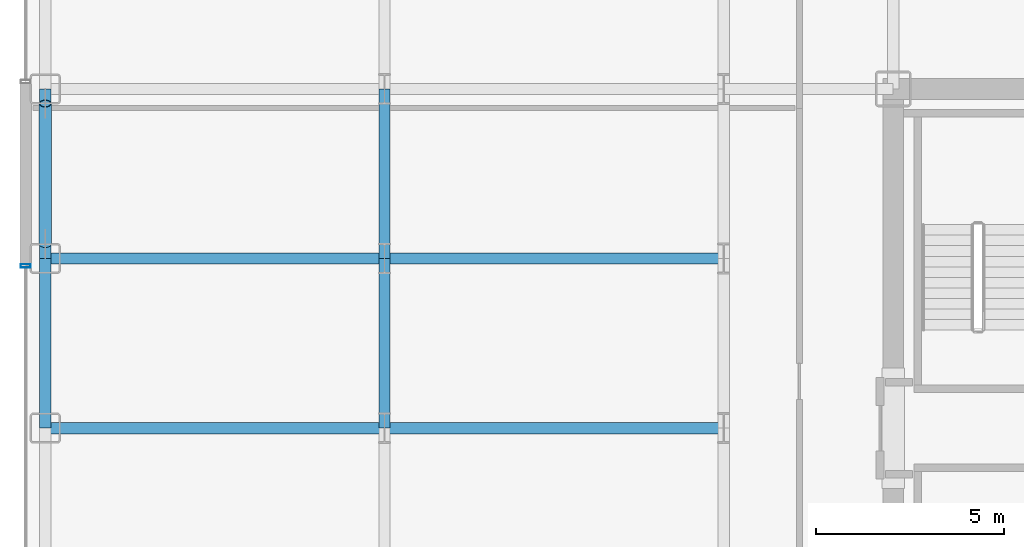
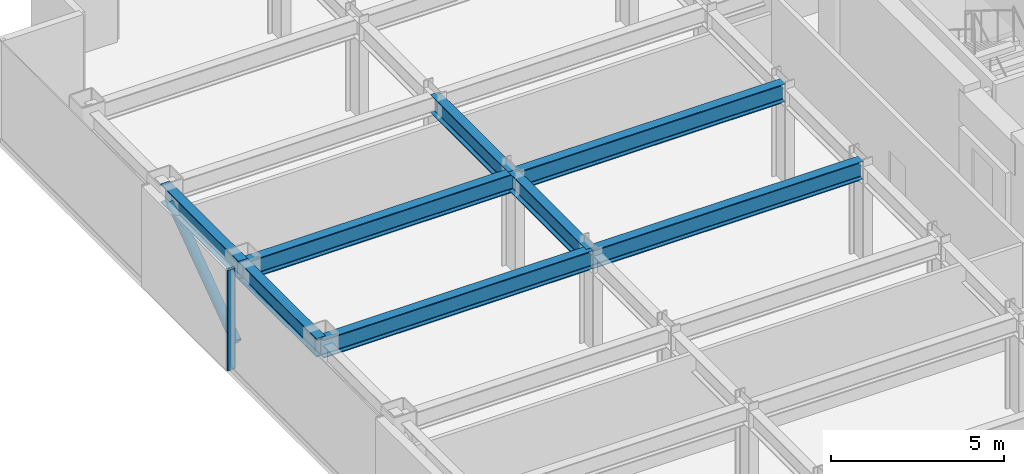
# One storey, part 7 of 26: 8 beams, 2 members, 1 element without a shape of its own.
"""IFC4 building model written with IfcOpenShell, lengths in metres."""

from ifc_helpers import new_model, si_unit, direction, frame, origin, origin_2d, place, context, subcontext, project, spatial, hollow_rectangle, hollow_circle, i_section, extrude, source, transform, mapped, material, layer, layer_set, material_profile, profile_set, type_object, element, aggregate, save


model = new_model("IFC4")

# Units and contexts
model_context = context("Model", 3, precision=1e-05, world=origin(), true_north=direction((0.0, 1.0)))
body_context = subcontext(model_context, "Body", "Model", "MODEL_VIEW")
ifc_project = project(units=[si_unit("LENGTHUNIT", "METRE"), si_unit("AREAUNIT", "SQUARE_METRE"), si_unit("VOLUMEUNIT", "CUBIC_METRE"), si_unit("PLANEANGLEUNIT", "RADIAN"), si_unit("MASSUNIT", "GRAM", prefix="KILO")], contexts=[model_context])

# Site, building, storey
site_placement = place(None, origin())
site = spatial("IfcSite", under=ifc_project, at=site_placement, CompositionType="ELEMENT")
building_placement = place(site_placement, origin())
building = spatial("IfcBuilding", under=site, at=building_placement, Name="Nefas-Gora Pilgrimage Tower", CompositionType="ELEMENT")
storey_placement = place(building_placement, frame((0.0, 0.0, 171.60009765625)))
storey = spatial("IfcBuildingStorey", under=building, at=storey_placement, Name="L42", CompositionType="ELEMENT", Elevation=171.60009765625)

# Beams
ifc_material_1 = material(Name="Steel S355", Category="steel")
ifc_material_profile_1 = material_profile(ifc_material_1, i_section(OverallWidth=0.300048828125, OverallDepth=0.64990234375, WebThickness=0.01611328125, FlangeThickness=0.031005859375, FilletRadius=0.027099609375, at=origin_2d()), Name="HEB 650")
ifc_profile_set_1 = profile_set([ifc_material_profile_1], Name="Steel S355")
beam_type_1 = type_object("IfcBeamType", Name="BM-SPN-HEB500", PredefinedType="SPANDREL", material=ifc_profile_set_1)
shared_shape_1 = source(origin(), body_context, "Body", "SweptSolid", [
    extrude(i_section(OverallWidth=0.300048828125, OverallDepth=0.64990234375, WebThickness=0.01611328125, FlangeThickness=0.031005859375, FilletRadius=0.027099609375, at=origin_2d()), origin(), (0.0, 0.0, 1.0), 4.5),
])
for number, where, z_axis, x_axis, name in (
    (1, (-33.75, 0.0, 3.224853515625), (0.0, 1.0, 0.0), (-1.0, 0.0, 0.0), "L42 SP-02 beam"),
    (2, (-33.75, 4.5, 3.224853515625), (0.0, 1.0, 0.0), (-1.0, 0.0, 0.0), "L42 SP-02 beam"),
):
    element("IfcBeam", number, at=place(storey_placement, frame(where, z_axis=z_axis, x_axis=x_axis)), inside=storey, type_object=beam_type_1, Name=name, PredefinedType="SPANDREL", context=body_context, shape_type="MappedRepresentation", body=[
        mapped(shared_shape_1, transform((0.0, 0.0, 0.0), x_axis=(1.0, 0.0, 0.0), y_axis=(0.0, 1.0, 0.0), z_axis=(0.0, 0.0, 1.0), scale=1.0)),
    ])
ifc_material_profile_2 = material_profile(ifc_material_1, i_section(OverallWidth=0.300048828125, OverallDepth=0.64990234375, WebThickness=0.01611328125, FlangeThickness=0.031005859375, FilletRadius=0.027099609375, at=origin_2d()), Name="HEB 650")
ifc_profile_set_2 = profile_set([ifc_material_profile_2], Name="Steel S355")
beam_type_2 = type_object("IfcBeamType", Name="BM-GIR-HEB650", PredefinedType="BEAM", material=ifc_profile_set_2)
shared_shape_2 = source(origin(), body_context, "Body", "SweptSolid", [
    extrude(i_section(OverallWidth=0.300048828125, OverallDepth=0.64990234375, WebThickness=0.01611328125, FlangeThickness=0.031005859375, FilletRadius=0.027099609375, at=origin_2d()), origin(), (0.0, 0.0, 1.0), 9.0),
])
for number, where, z_axis, x_axis, name in (
    (3, (-33.75, 0.0, 3.224853515625), (1.0, 0.0, 0.0), (0.0, 1.0, 0.0), "L42 G-03 beam"),
    (4, (-33.75, 4.5, 3.224853515625), (1.0, 0.0, 0.0), (0.0, 1.0, 0.0), "L42 G-03 beam"),
    (5, (-24.75, 0.0, 3.224853515625), (1.0, 0.0, 0.0), (0.0, 1.0, 0.0), "L42 G-03 beam"),
    (6, (-24.75, 4.5, 3.224853515625), (1.0, 0.0, 0.0), (0.0, 1.0, 0.0), "L42 G-03 beam"),
):
    element("IfcBeam", number, at=place(storey_placement, frame(where, z_axis=z_axis, x_axis=x_axis)), inside=storey, type_object=beam_type_2, Name=name, PredefinedType="BEAM", context=body_context, shape_type="MappedRepresentation", body=[
        mapped(shared_shape_2, transform((0.0, 0.0, 0.0), x_axis=(1.0, 0.0, 0.0), y_axis=(0.0, 1.0, 0.0), z_axis=(0.0, 0.0, 1.0), scale=1.0)),
    ])
shared_shape_3 = source(origin(), body_context, "Body", "SweptSolid", [
    extrude(i_section(OverallWidth=0.300048828125, OverallDepth=0.64990234375, WebThickness=0.01611328125, FlangeThickness=0.031005859375, FilletRadius=0.027099609375, at=origin_2d()), origin(), (0.0, 0.0, 1.0), 4.5),
])
for number, where, z_axis, x_axis, name in (
    (7, (-24.75, 0.0, 3.224853515625), (0.0, 1.0, 0.0), (-1.0, 0.0, 0.0), "L42 G-03 beam"),
    (8, (-24.75, 4.5, 3.224853515625), (0.0, 1.0, 0.0), (-1.0, 0.0, 0.0), "L42 G-03 beam"),
):
    element("IfcBeam", number, at=place(storey_placement, frame(where, z_axis=z_axis, x_axis=x_axis)), inside=storey, type_object=beam_type_2, Name=name, PredefinedType="BEAM", context=body_context, shape_type="MappedRepresentation", body=[
        mapped(shared_shape_3, transform((0.0, 0.0, 0.0), x_axis=(1.0, 0.0, 0.0), y_axis=(0.0, 1.0, 0.0), z_axis=(0.0, 0.0, 1.0), scale=1.0)),
    ])

# Member
ifc_material_profile_3 = material_profile(ifc_material_1, hollow_circle(Radius=0.161865234375, WallThickness=0.02001953125, at=origin_2d()), Name="CHS 323.9x20")
ifc_profile_set_3 = profile_set([ifc_material_profile_3], Name="Steel S355")
member_type_1 = type_object("IfcMemberType", Name="MEM-TUBE-324", PredefinedType="BRACE", material=ifc_profile_set_3)
shared_shape_4 = source(origin(), body_context, "Body", "SweptSolid", [
    extrude(hollow_circle(Radius=0.161865234375, WallThickness=0.02001953125, at=origin_2d()), origin(), (0.0, 0.0, 1.0), 4.579345703125),
])
member_1_placement = place(storey_placement, frame((-33.75, 4.887939453125, 0.427490234375), z_axis=(0.0, 0.813246879171, 0.581918820385), x_axis=(-1.0, 0.0, 0.0)))
element("IfcMember", 9, at=member_1_placement, inside=storey, type_object=member_type_1, Name="L42 Perimeter Tube Diagonal Brace W2", PredefinedType="BRACE", context=body_context, shape_type="MappedRepresentation", body=[
    mapped(shared_shape_4, transform((0.0, 0.0, 0.0), x_axis=(1.0, 0.0, 0.0), y_axis=(0.0, 1.0, 0.0), z_axis=(0.0, 0.0, 1.0), scale=1.0)),
])

# Curtain wall, member
ifc_material_2 = material(Name="Dark ceramic-fritted solar-control aluminium-glass curtain wall", Category="aluminium")
ifc_layer = layer(ifc_material_2, 0.219970703125)
ifc_layer_set = layer_set([ifc_layer], Name="Dark ceramic-fritted solar-control aluminium-glass curtain wall")
curtain_wall_type = type_object("IfcCurtainWallType", Name="CW-SYS-3", PredefinedType="NOTDEFINED", material=ifc_layer_set)
curtain_wall_placement = place(storey_placement, origin())
curtain_wall = element("IfcCurtainWall", 10, at=curtain_wall_placement, inside=storey, type_object=curtain_wall_type, Name="L42 Unitised Curtain Wall CW3", PredefinedType="NOTDEFINED")
ifc_material_3 = material(Name="Anodised architectural aluminium", Category="aluminium")
ifc_material_profile_4 = material_profile(ifc_material_3, hollow_rectangle(XDim=0.090087890625, YDim=0.260009765625, WallThickness=0.006103515625, InnerFilletRadius=0.006103515625, OuterFilletRadius=0.011962890625, at=origin_2d()), Name="ALU MULLION 90x260")
ifc_profile_set_4 = profile_set([ifc_material_profile_4], Name="Anodised architectural aluminium")
member_type_2 = type_object("IfcMemberType", Name="CWM-MUL-3", PredefinedType="MULLION", material=ifc_profile_set_4)
shared_shape_5 = source(origin(), body_context, "Body", "SweptSolid", [
    extrude(hollow_rectangle(XDim=0.090087890625, YDim=0.260009765625, WallThickness=0.006103515625, InnerFilletRadius=0.006103515625, OuterFilletRadius=0.011962890625, at=origin_2d()), origin(), (0.0, 0.0, 1.0), 3.5498046875),
])
member_2_placement = place(storey_placement, frame((-34.27001953125, 4.304931640625, 0.0), z_axis=(0.0, 0.0, 1.0), x_axis=(0.0, -1.0, 0.0)))
member_2 = element("IfcMember", 11, at=member_2_placement, type_object=member_type_2, Name="CW3 Mullion 1", PredefinedType="MULLION", context=body_context, shape_type="MappedRepresentation", body=[
    mapped(shared_shape_5, transform((0.0, 0.0, 0.0), x_axis=(1.0, 0.0, 0.0), y_axis=(0.0, 1.0, 0.0), z_axis=(0.0, 0.0, 1.0), scale=1.0)),
])
aggregate(curtain_wall, [member_2])

save(model, "model.ifc")
